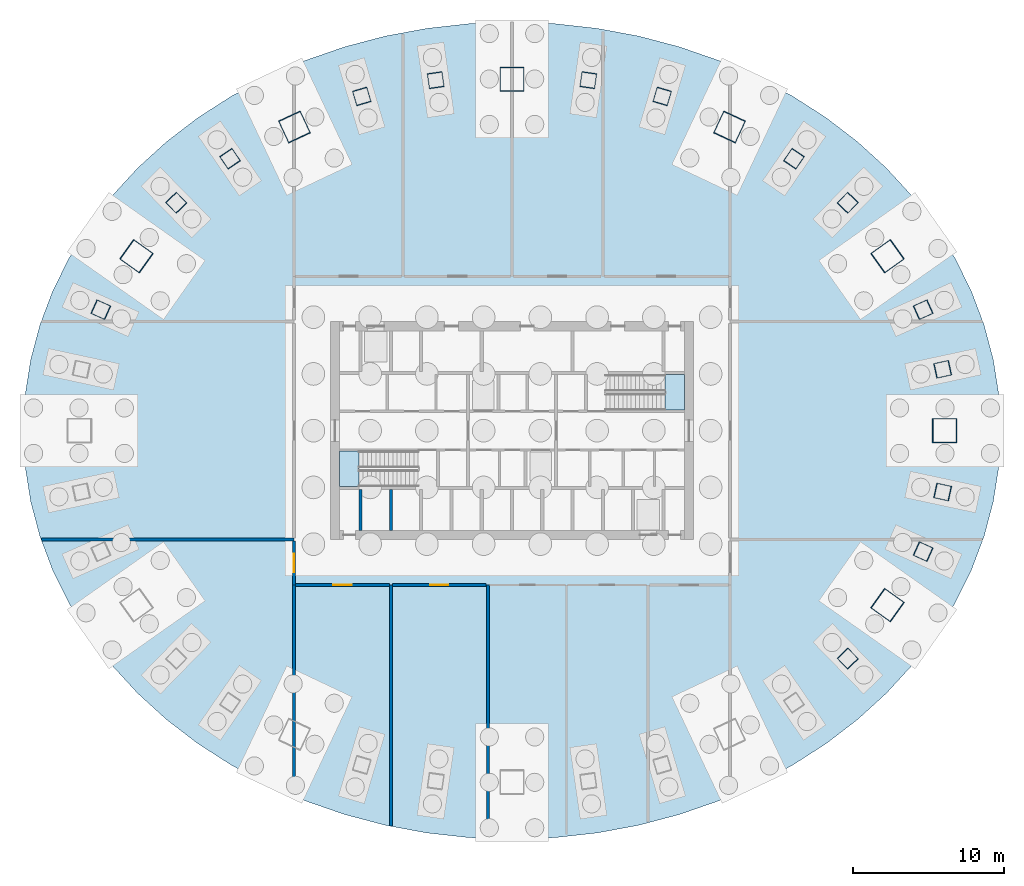
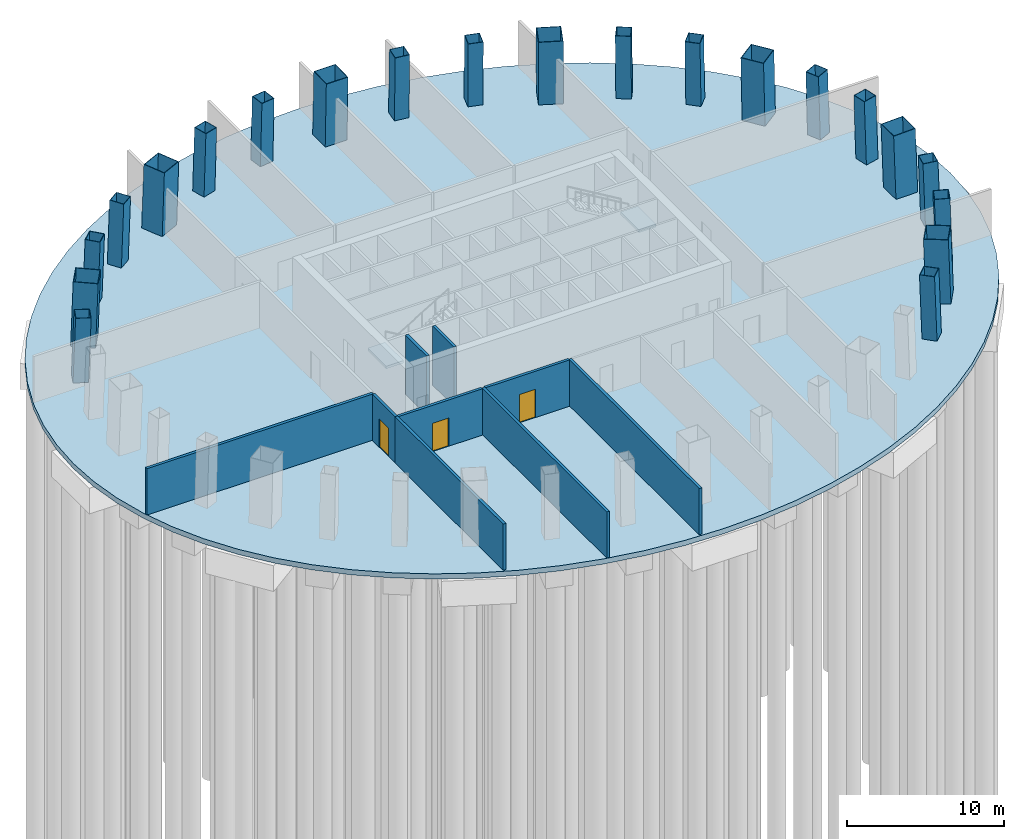
# One storey, part 2 of 7: 21 columns, 9 walls, 3 doors, 3 slabs, 3 openings, 2 elements without a shape of their own.
"""IFC4 building model written with IfcOpenShell, lengths in metres."""

from ifc_helpers import new_model, si_unit, direction, frame, frame_2d, origin, origin_2d, place, context, subcontext, project, spatial, polyline, rectangle, hollow_rectangle, outline, extrude, material, layer, layer_set, material_profile, profile_set, type_object, element, fill, aggregate, save


model = new_model("IFC4")

# Units and contexts
model_context = context("Model", 3, precision=1e-05, world=origin(), true_north=direction((0.0, 1.0)))
body_context = subcontext(model_context, "Body", "Model", "MODEL_VIEW")
ifc_project = project(units=[si_unit("LENGTHUNIT", "METRE"), si_unit("AREAUNIT", "SQUARE_METRE"), si_unit("VOLUMEUNIT", "CUBIC_METRE"), si_unit("PLANEANGLEUNIT", "RADIAN"), si_unit("MASSUNIT", "GRAM", prefix="KILO")], contexts=[model_context])

# Site, building, storey
site_placement = place(None, origin())
site = spatial("IfcSite", under=ifc_project, at=site_placement, CompositionType="ELEMENT")
building_placement = place(site_placement, origin())
building = spatial("IfcBuilding", under=site, at=building_placement, Name="Siaravel Broadcast Tower", CompositionType="ELEMENT")
storey_placement = place(building_placement, frame((0.0, 0.0, -5.0)))
storey = spatial("IfcBuildingStorey", under=building, at=storey_placement, Name="B1", CompositionType="ELEMENT", Elevation=-5.0)

# Columns
ifc_material_1 = material(Name="Concrete C70/85", Category="concrete")
ifc_material_profile_1 = material_profile(ifc_material_1, hollow_rectangle(XDim=1.0, YDim=1.0, WallThickness=0.031982421875, at=origin_2d()))
ifc_profile_set_1 = profile_set([ifc_material_profile_1], Name="Concrete C70/85")
column_type_1 = type_object("IfcColumnType", Name="COL-CFT BOX 1000x1000x32", PredefinedType="COLUMN", material=ifc_profile_set_1)
for number, where, z_axis, x_axis, name in (
    (1, (28.481689453125, 4.058349609375, 0.0), (-0.03406184, -0.004928719, 0.999407574), (0.212520175, -0.977153672, 0.002424149), "Perimeter column C01"),
    (2, (27.192138671875, 8.0, 0.0), (-0.032500817, -0.009711205, 0.999424529), (0.409851764, -0.912141214, 0.004465096), "Perimeter column C02"),
):
    element("IfcColumn", number, at=place(storey_placement, frame(where, z_axis=z_axis, x_axis=x_axis)), inside=storey, type_object=column_type_1, Name=name, PredefinedType="COLUMN", context=body_context, shape_type="SweptSolid", body=[
        extrude(hollow_rectangle(XDim=1.0, YDim=1.0, WallThickness=0.031982421875, at=origin_2d()), origin(), (0.0, 0.0, 1.0), 5.0029296875),
    ])
column_1_placement = place(storey_placement, frame((22.204345703125, 15.072998046875, 0.0), z_axis=(-0.026451197, -0.018203499, 0.99948435), x_axis=(0.719938809, -0.694007913, 0.006413178)))
element("IfcColumn", 3, at=column_1_placement, inside=storey, type_object=column_type_1, Name="Perimeter column C03", PredefinedType="COLUMN", context=body_context, shape_type="SweptSolid", body=[
    extrude(hollow_rectangle(XDim=1.0, YDim=1.0, WallThickness=0.031982421875, at=origin_2d()), origin(), (0.0, 0.0, 1.0), 5.002685546875),
])
column_2_placement = place(storey_placement, frame((18.6474609375, 17.986328125, 0.0), z_axis=(-0.022206077, -0.021718031, 0.999517492), x_axis=(0.827946422, -0.560772827, 0.006209556)))
element("IfcColumn", 4, at=column_2_placement, inside=storey, type_object=column_type_1, Name="Perimeter column C04", PredefinedType="COLUMN", context=body_context, shape_type="SweptSolid", body=[
    extrude(hollow_rectangle(XDim=1.0, YDim=1.0, WallThickness=0.031982421875, at=origin_2d()), origin(), (0.0, 0.0, 1.0), 5.00244140625),
])
column_3_placement = place(storey_placement, frame((9.934814453125, 22.105712890625, 0.0), z_axis=(-0.011860186, -0.026648812, 0.999574498), x_axis=(0.959327102, -0.282270497, 0.003857265)))
element("IfcColumn", 5, at=column_3_placement, inside=storey, type_object=column_type_1, Name="Perimeter column C05", PredefinedType="COLUMN", context=body_context, shape_type="SweptSolid", body=[
    extrude(hollow_rectangle(XDim=1.0, YDim=1.0, WallThickness=0.031982421875, at=origin_2d()), origin(), (0.0, 0.0, 1.0), 5.002197265625),
])
for number, where, z_axis, x_axis, name in (
    (6, (5.045654296875, 23.1787109375, 0.0), (-0.00600341, -0.027918297, 0.999592181), (0.990084374, -0.140459386, 0.002023321), "Perimeter column C06"),
    (7, (-5.045654296875, 23.1787109375, 0.0), (0.00600341, -0.027918297, 0.999592181), (0.990084374, 0.140459386, -0.002023321), "Perimeter column C07"),
):
    element("IfcColumn", number, at=place(storey_placement, frame(where, z_axis=z_axis, x_axis=x_axis)), inside=storey, type_object=column_type_1, Name=name, PredefinedType="COLUMN", context=body_context, shape_type="SweptSolid", body=[
        extrude(hollow_rectangle(XDim=1.0, YDim=1.0, WallThickness=0.031982421875, at=origin_2d()), origin(), (0.0, 0.0, 1.0), 5.001953125),
    ])
column_4_placement = place(storey_placement, frame((-9.934814453125, 22.105712890625, 0.0), z_axis=(0.011860186, -0.026648812, 0.999574498), x_axis=(0.959327102, 0.282270497, -0.003857265)))
element("IfcColumn", 8, at=column_4_placement, inside=storey, type_object=column_type_1, Name="Perimeter column C08", PredefinedType="COLUMN", context=body_context, shape_type="SweptSolid", body=[
    extrude(hollow_rectangle(XDim=1.0, YDim=1.0, WallThickness=0.031982421875, at=origin_2d()), origin(), (0.0, 0.0, 1.0), 5.002197265625),
])
column_5_placement = place(storey_placement, frame((-18.6474609375, 17.986328125, 0.0), z_axis=(0.022206077, -0.021718031, 0.999517492), x_axis=(0.827946422, 0.560772827, -0.006209556)))
element("IfcColumn", 9, at=column_5_placement, inside=storey, type_object=column_type_1, Name="Perimeter column C09", PredefinedType="COLUMN", context=body_context, shape_type="SweptSolid", body=[
    extrude(hollow_rectangle(XDim=1.0, YDim=1.0, WallThickness=0.031982421875, at=origin_2d()), origin(), (0.0, 0.0, 1.0), 5.00244140625),
])
column_6_placement = place(storey_placement, frame((-22.204345703125, 15.072998046875, 0.0), z_axis=(0.026451197, -0.018203499, 0.99948435), x_axis=(0.719938809, 0.694007913, -0.006413178)))
element("IfcColumn", 10, at=column_6_placement, inside=storey, type_object=column_type_1, Name="Perimeter column C10", PredefinedType="COLUMN", context=body_context, shape_type="SweptSolid", body=[
    extrude(hollow_rectangle(XDim=1.0, YDim=1.0, WallThickness=0.031982421875, at=origin_2d()), origin(), (0.0, 0.0, 1.0), 5.002685546875),
])
column_7_placement = place(storey_placement, frame((-27.192138671875, 8.0, 0.0), z_axis=(0.032500817, -0.009711205, 0.999424529), x_axis=(0.409851764, 0.912141214, -0.004465096)))
element("IfcColumn", 11, at=column_7_placement, inside=storey, type_object=column_type_1, Name="Perimeter column C11", PredefinedType="COLUMN", context=body_context, shape_type="SweptSolid", body=[
    extrude(hollow_rectangle(XDim=1.0, YDim=1.0, WallThickness=0.031982421875, at=origin_2d()), origin(), (0.0, 0.0, 1.0), 5.0029296875),
])
column_8_placement = place(storey_placement, frame((22.204345703125, -15.072998046875, 0.0), z_axis=(-0.026451197, 0.018203499, 0.99948435), x_axis=(-0.719938809, -0.694007913, -0.006413178)))
element("IfcColumn", 12, at=column_8_placement, inside=storey, type_object=column_type_1, Name="Perimeter column C22", PredefinedType="COLUMN", context=body_context, shape_type="SweptSolid", body=[
    extrude(hollow_rectangle(XDim=1.0, YDim=1.0, WallThickness=0.031982421875, at=origin_2d()), origin(), (0.0, 0.0, 1.0), 5.002685546875),
])
for number, where, z_axis, x_axis, name in (
    (13, (27.192138671875, -8.0, 0.0), (-0.032500817, 0.009711205, 0.999424529), (-0.409851764, -0.912141214, -0.004465096), "Perimeter column C23"),
    (14, (28.481689453125, -4.058349609375, 0.0), (-0.03406184, 0.004928719, 0.999407574), (-0.212520175, -0.977153672, -0.002424149), "Perimeter column C24"),
):
    element("IfcColumn", number, at=place(storey_placement, frame(where, z_axis=z_axis, x_axis=x_axis)), inside=storey, type_object=column_type_1, Name=name, PredefinedType="COLUMN", context=body_context, shape_type="SweptSolid", body=[
        extrude(hollow_rectangle(XDim=1.0, YDim=1.0, WallThickness=0.031982421875, at=origin_2d()), origin(), (0.0, 0.0, 1.0), 5.0029296875),
    ])
ifc_material_profile_2 = material_profile(ifc_material_1, hollow_rectangle(XDim=1.60009765625, YDim=1.60009765625, WallThickness=0.0400390625, at=origin_2d()))
ifc_profile_set_2 = profile_set([ifc_material_profile_2], Name="Concrete C70/85")
column_type_2 = type_object("IfcColumnType", Name="COL-CFT BOX 1600x1600x40", PredefinedType="COLUMN", material=ifc_profile_set_2)
column_9_placement = place(storey_placement, frame((28.615234375, 0.0, 0.0), z_axis=(-0.034549673, 0.0, 0.999402982), x_axis=(0.0, -1.0, 0.0)))
element("IfcColumn", 15, at=column_9_placement, inside=storey, type_object=column_type_2, Name="Megacolumn MC01", PredefinedType="COLUMN", context=body_context, shape_type="SweptSolid", body=[
    extrude(hollow_rectangle(XDim=1.60009765625, YDim=1.60009765625, WallThickness=0.0400390625, at=origin_2d()), origin(), (0.0, 0.0, 1.0), 5.0029296875),
])
column_10_placement = place(storey_placement, frame((24.835205078125, 11.536376953125, 0.0), z_axis=(-0.029964003, -0.014152379, 0.999450784), x_axis=(0.581238956, -0.813711512, 0.005903534)))
element("IfcColumn", 16, at=column_10_placement, inside=storey, type_object=column_type_2, Name="Megacolumn MC02", PredefinedType="COLUMN", context=body_context, shape_type="SweptSolid", body=[
    extrude(hollow_rectangle(XDim=1.60009765625, YDim=1.60009765625, WallThickness=0.0400390625, at=origin_2d()), origin(), (0.0, 0.0, 1.0), 5.002685546875),
])
column_11_placement = place(storey_placement, frame((14.387451171875, 20.084716796875, 0.0), z_axis=(-0.017326178, -0.02450068, 0.999549659), x_axis=(0.906542435, -0.422080558, 0.005368072)))
element("IfcColumn", 17, at=column_11_placement, inside=storey, type_object=column_type_2, Name="Megacolumn MC03", PredefinedType="COLUMN", context=body_context, shape_type="SweptSolid", body=[
    extrude(hollow_rectangle(XDim=1.60009765625, YDim=1.60009765625, WallThickness=0.0400390625, at=origin_2d()), origin(), (0.0, 0.0, 1.0), 5.002197265625),
])
column_12_placement = place(storey_placement, frame((0.0, 23.240234375, 0.0), z_axis=(0.0, -0.028357732, 0.999597839), x_axis=(1.0, 0.0, 0.0)))
element("IfcColumn", 18, at=column_12_placement, inside=storey, type_object=column_type_2, Name="Megacolumn MC04", PredefinedType="COLUMN", context=body_context, shape_type="SweptSolid", body=[
    extrude(hollow_rectangle(XDim=1.60009765625, YDim=1.60009765625, WallThickness=0.0400390625, at=origin_2d()), origin(), (0.0, 0.0, 1.0), 5.001953125),
])
column_13_placement = place(storey_placement, frame((-14.387451171875, 20.084716796875, 0.0), z_axis=(0.017326178, -0.02450068, 0.999549659), x_axis=(0.906542435, 0.422080558, -0.005368072)))
element("IfcColumn", 19, at=column_13_placement, inside=storey, type_object=column_type_2, Name="Megacolumn MC05", PredefinedType="COLUMN", context=body_context, shape_type="SweptSolid", body=[
    extrude(hollow_rectangle(XDim=1.60009765625, YDim=1.60009765625, WallThickness=0.0400390625, at=origin_2d()), origin(), (0.0, 0.0, 1.0), 5.002197265625),
])
for number, where, z_axis, x_axis, name in (
    (20, (-24.835205078125, 11.536376953125, 0.0), (0.029964003, -0.014152379, 0.999450784), (0.581238956, 0.813711512, -0.005903534), "Megacolumn MC06"),
    (21, (24.835205078125, -11.536376953125, 0.0), (-0.029964003, 0.014152379, 0.999450784), (-0.581238956, -0.813711512, -0.005903534), "Megacolumn MC12"),
):
    element("IfcColumn", number, at=place(storey_placement, frame(where, z_axis=z_axis, x_axis=x_axis)), inside=storey, type_object=column_type_2, Name=name, PredefinedType="COLUMN", context=body_context, shape_type="SweptSolid", body=[
        extrude(hollow_rectangle(XDim=1.60009765625, YDim=1.60009765625, WallThickness=0.0400390625, at=origin_2d()), origin(), (0.0, 0.0, 1.0), 5.002685546875),
    ])

# Slab
ifc_material_2 = material(Name="Concrete C40/50", Category="concrete")
ifc_layer_1 = layer(ifc_material_2, 0.39990234375)
ifc_layer_set_1 = layer_set([ifc_layer_1], Name="Concrete C40/50")
slab_type_1 = type_object("IfcSlabType", Name="SLB-BASESLAB-400", PredefinedType="BASESLAB", material=ifc_layer_set_1)
slab_1_placement = place(storey_placement, frame((0.0, 0.0, -0.39990234375)))
element("IfcSlab", 22, at=slab_1_placement, inside=storey, type_object=slab_type_1, Name="Basement floor slab", PredefinedType="BASESLAB", context=body_context, shape_type="SweptSolid", body=[
    extrude(outline(polyline([(32.300048828125, 0.0), (32.177001953125, 2.353271484375), (31.809326171875, 4.6884765625), (31.199462890625, 6.988037109375), (30.35205078125, 9.234619140625), (29.273681640625, 11.41064453125), (27.97265625, 13.5), (26.45849609375, 15.486572265625), (24.7431640625, 17.355224609375), (22.839599609375, 19.091796875), (20.761962890625, 20.68310546875), (18.526611328125, 22.1171875), (16.14990234375, 23.3828125), (13.650634765625, 24.47021484375), (11.04736328125, 25.37158203125), (8.35986328125, 26.080078125), (5.60888671875, 26.58984375), (2.815185546875, 26.897216796875), (0.0, 27.0), (-2.815185546875, 26.897216796875), (-5.60888671875, 26.58984375), (-8.35986328125, 26.080078125), (-11.04736328125, 25.37158203125), (-13.650634765625, 24.47021484375), (-16.14990234375, 23.3828125), (-18.526611328125, 22.1171875), (-20.761962890625, 20.68310546875), (-22.839599609375, 19.091796875), (-24.7431640625, 17.355224609375), (-26.45849609375, 15.486572265625), (-27.97265625, 13.5), (-29.273681640625, 11.41064453125), (-30.35205078125, 9.234619140625), (-31.199462890625, 6.988037109375), (-31.809326171875, 4.6884765625), (-32.177001953125, 2.353271484375), (-32.300048828125, 0.0), (-32.177001953125, -2.353271484375), (-31.809326171875, -4.6884765625), (-31.199462890625, -6.988037109375), (-30.35205078125, -9.234619140625), (-29.273681640625, -11.41064453125), (-27.97265625, -13.5), (-26.45849609375, -15.486572265625), (-24.7431640625, -17.355224609375), (-22.839599609375, -19.091796875), (-20.761962890625, -20.68310546875), (-18.526611328125, -22.1171875), (-16.14990234375, -23.3828125), (-13.650634765625, -24.47021484375), (-11.04736328125, -25.37158203125), (-8.35986328125, -26.080078125), (-5.60888671875, -26.58984375), (-2.815185546875, -26.897216796875), (0.0, -27.0), (2.815185546875, -26.897216796875), (5.60888671875, -26.58984375), (8.35986328125, -26.080078125), (11.04736328125, -25.37158203125), (13.650634765625, -24.47021484375), (16.14990234375, -23.3828125), (18.526611328125, -22.1171875), (20.761962890625, -20.68310546875), (22.839599609375, -19.091796875), (24.7431640625, -17.355224609375), (26.45849609375, -15.486572265625), (27.97265625, -13.5), (29.273681640625, -11.41064453125), (30.35205078125, -9.234619140625), (31.199462890625, -6.988037109375), (31.809326171875, -4.6884765625), (32.177001953125, -2.353271484375), (32.300048828125, 0.0)])), origin(), (0.0, 0.0, 1.0), 0.39990234375),
])

# Stair, slab
stair_type = type_object("IfcStairType", Name="Core exit stair", PredefinedType="HALF_TURN_STAIR", material=ifc_material_2)
stair_1_placement = place(storey_placement, origin())
stair_1 = element("IfcStair", 23, at=stair_1_placement, inside=storey, type_object=stair_type, Name="B1 Exit stair ST-1", PredefinedType="HALF_TURN_STAIR")
ifc_layer_2 = layer(ifc_material_2, 0.199951171875)
ifc_layer_set_2 = layer_set([ifc_layer_2], Name="Concrete C40/50")
slab_type_2 = type_object("IfcSlabType", Name="Stair landing", PredefinedType="LANDING", material=ifc_layer_set_2)
slab_2_placement = place(storey_placement, frame((0.0, 0.0, 2.300048828125)))
slab_2 = element("IfcSlab", 24, at=slab_2_placement, type_object=slab_type_2, Name="ST-1 landing 1", PredefinedType="LANDING", context=body_context, shape_type="SweptSolid", body=[
    extrude(outline(polyline([(-10.1201171875, -1.35009765625), (-11.39990234375, -1.35009765625), (-11.39990234375, -3.699951171875), (-10.1201171875, -3.699951171875), (-10.1201171875, -1.35009765625)])), origin(), (0.0, 0.0, 1.0), 0.199951171875),
])
aggregate(stair_1, [slab_2])

stair_2_placement = place(storey_placement, origin())
stair_2 = element("IfcStair", 25, at=stair_2_placement, inside=storey, type_object=stair_type, Name="B1 Exit stair ST-2", PredefinedType="HALF_TURN_STAIR")
slab_3_placement = place(storey_placement, frame((0.0, 0.0, 2.300048828125)))
slab_3 = element("IfcSlab", 26, at=slab_3_placement, type_object=slab_type_2, Name="ST-2 landing 1", PredefinedType="LANDING", context=body_context, shape_type="SweptSolid", body=[
    extrude(outline(polyline([(10.1201171875, 1.35009765625), (11.39990234375, 1.35009765625), (11.39990234375, 3.699951171875), (10.1201171875, 3.699951171875), (10.1201171875, 1.35009765625)])), origin(), (0.0, 0.0, 1.0), 0.199951171875),
])
aggregate(stair_2, [slab_3])

# Walls
ifc_material_3 = material(Name="Concrete blockwork", Category="masonry")
ifc_layer_3 = layer(ifc_material_3, 0.199951171875)
ifc_layer_set_3 = layer_set([ifc_layer_3], Name="Concrete blockwork")
wall_type_1 = type_object("IfcWallType", Name="Plant room wall 200", PredefinedType="PARTITIONING", material=ifc_layer_set_3)
wall_1_placement = place(storey_placement, frame((-1.60009765625, -26.823974609375, 0.0), z_axis=(0.0, 0.0, 1.0), x_axis=(0.0, 1.0, 0.0)))
element("IfcWall", 27, at=wall_1_placement, inside=storey, type_object=wall_type_1, Name="B1 partition 2", PredefinedType="PARTITIONING", context=body_context, shape_type="SweptSolid", body=[
    extrude(rectangle(XDim=16.6240234375, YDim=0.199951171875, at=frame_2d((8.31201171875, 0.0))), origin(), (0.0, 0.0, 1.0), 3.60009765625),
])
wall_2_placement = place(storey_placement, frame((-14.39990234375, -7.199951171875, 0.0), z_axis=(0.0, 0.0, 1.0), x_axis=(-1.0, 0.0, 0.0)))
element("IfcWall", 28, at=wall_2_placement, inside=storey, type_object=wall_type_1, Name="B1 partition 3", PredefinedType="PARTITIONING", context=body_context, shape_type="SweptSolid", body=[
    extrude(rectangle(XDim=16.69970703125, YDim=0.199951171875, at=frame_2d((8.349853515625, 0.0))), origin(), (0.0, 0.0, 1.0), 3.60009765625),
])
wall_3_placement = place(storey_placement, frame((-8.0, -26.11962890625, 0.0), z_axis=(0.0, 0.0, 1.0), x_axis=(0.0, 1.0, 0.0)))
element("IfcWall", 29, at=wall_3_placement, inside=storey, type_object=wall_type_1, Name="B1 partition 10", PredefinedType="PARTITIONING", context=body_context, shape_type="SweptSolid", body=[
    extrude(rectangle(XDim=15.919677734375, YDim=0.199951171875, at=frame_2d((7.9599609375, 0.0))), origin(), (0.0, 0.0, 1.0), 3.60009765625),
])
wall_4_placement = place(storey_placement, frame((-14.39990234375, -23.9912109375, 0.0), z_axis=(0.0, 0.0, 1.0), x_axis=(0.0, 1.0, 0.0)))
element("IfcWall", 30, at=wall_4_placement, inside=storey, type_object=wall_type_1, Name="B1 partition 14", PredefinedType="PARTITIONING", context=body_context, shape_type="SweptSolid", body=[
    extrude(rectangle(XDim=13.791259765625, YDim=0.199951171875, at=frame_2d((6.8955078125, 0.0))), origin(), (0.0, 0.0, 1.0), 3.60009765625),
])

# Wall, opening, door
wall_5_placement = place(storey_placement, frame((-14.298095703125, -10.199951171875, 0.0), z_axis=(0.0, 0.0, 1.0), x_axis=(1.0, 0.0, 0.0)))
wall_5 = element("IfcWall", 31, at=wall_5_placement, inside=storey, type_object=wall_type_1, Name="B1 partition 21", PredefinedType="PARTITIONING", context=body_context, shape_type="SweptSolid", body=[
    extrude(rectangle(XDim=6.196044921875, YDim=0.199951171875, at=frame_2d((3.09814453125, 0.0))), origin(), (0.0, 0.0, 1.0), 3.60009765625),
])
opening_1_placement = place(wall_5_placement, frame((2.498046875, 0.0, 0.0)))
opening_1 = element("IfcOpeningElement", 32, at=opening_1_placement, cuts=wall_5, Name="Opening B1-011", PredefinedType="OPENING", context=body_context, shape_type="SweptSolid", body=[
    extrude(rectangle(XDim=1.199951171875, YDim=2.199951171875, at=frame_2d((0.60009765625, 1.10009765625))), frame((0.0, 0.10986328125, 0.0), z_axis=(0.0, -1.0, 0.0), x_axis=(1.0, 0.0, 0.0)), (0.0, 0.0, 1.0), 0.219970703125),
])
ifc_material_4 = material(Name="Steel", Category="steel")
door_type = type_object("IfcDoorType", Name="Plant room door 1200", OperationType="DOUBLE_DOOR_SINGLE_SWING", PredefinedType="DOOR", material=ifc_material_4)
door_1_placement = place(opening_1_placement, origin())
door_1 = element("IfcDoor", 33, at=door_1_placement, inside=storey, type_object=door_type, Name="B1 door to Chilled water pump room", OperationType="DOUBLE_DOOR_SINGLE_SWING", OverallHeight=2.199951171875, OverallWidth=1.199951171875, PredefinedType="DOOR", context=body_context, shape_type="SweptSolid", body=[
    extrude(rectangle(XDim=1.199951171875, YDim=2.199951171875, at=frame_2d((0.60009765625, 1.10009765625))), frame((0.0, 0.02490234375, 0.0), z_axis=(0.0, -1.0, 0.0), x_axis=(1.0, 0.0, 0.0)), (0.0, 0.0, 1.0), 0.050048828125),
])
fill(opening_1, door_1)

wall_6_placement = place(storey_placement, frame((-7.89794921875, -10.199951171875, 0.0), z_axis=(0.0, 0.0, 1.0), x_axis=(1.0, 0.0, 0.0)))
wall_6 = element("IfcWall", 34, at=wall_6_placement, inside=storey, type_object=wall_type_1, Name="B1 partition 22", PredefinedType="PARTITIONING", context=body_context, shape_type="SweptSolid", body=[
    extrude(rectangle(XDim=6.196044921875, YDim=0.199951171875, at=frame_2d((3.09814453125, 0.0))), origin(), (0.0, 0.0, 1.0), 3.60009765625),
])
opening_2_placement = place(wall_6_placement, frame((2.498046875, 0.0, 0.0)))
opening_2 = element("IfcOpeningElement", 35, at=opening_2_placement, cuts=wall_6, Name="Opening B1-012", PredefinedType="OPENING", context=body_context, shape_type="SweptSolid", body=[
    extrude(rectangle(XDim=1.199951171875, YDim=2.199951171875, at=frame_2d((0.60009765625, 1.10009765625))), frame((0.0, 0.10986328125, 0.0), z_axis=(0.0, -1.0, 0.0), x_axis=(1.0, 0.0, 0.0)), (0.0, 0.0, 1.0), 0.219970703125),
])
door_2_placement = place(opening_2_placement, origin())
door_2 = element("IfcDoor", 36, at=door_2_placement, inside=storey, type_object=door_type, Name="B1 door to Cooling water tank room", OperationType="DOUBLE_DOOR_SINGLE_SWING", OverallHeight=2.199951171875, OverallWidth=1.199951171875, PredefinedType="DOOR", context=body_context, shape_type="SweptSolid", body=[
    extrude(rectangle(XDim=1.199951171875, YDim=2.199951171875, at=frame_2d((0.60009765625, 1.10009765625))), frame((0.0, 0.02490234375, 0.0), z_axis=(0.0, -1.0, 0.0), x_axis=(1.0, 0.0, 0.0)), (0.0, 0.0, 1.0), 0.050048828125),
])
fill(opening_2, door_2)

wall_7_placement = place(storey_placement, frame((-14.39990234375, -7.302001953125, 0.0), z_axis=(0.0, 0.0, 1.0), x_axis=(0.0, -1.0, 0.0)))
wall_7 = element("IfcWall", 37, at=wall_7_placement, inside=storey, type_object=wall_type_1, Name="B1 partition 27", PredefinedType="PARTITIONING", context=body_context, shape_type="SweptSolid", body=[
    extrude(rectangle(XDim=2.89697265625, YDim=0.199951171875, at=frame_2d((1.448486328125, 0.0))), origin(), (0.0, 0.0, 1.0), 3.60009765625),
])
opening_3_placement = place(wall_7_placement, frame((0.848388671875, 0.0, 0.0)))
opening_3 = element("IfcOpeningElement", 38, at=opening_3_placement, cuts=wall_7, Name="Opening B1-001", PredefinedType="OPENING", context=body_context, shape_type="SweptSolid", body=[
    extrude(rectangle(XDim=1.199951171875, YDim=2.199951171875, at=frame_2d((0.60009765625, 1.10009765625))), frame((0.0, 0.10986328125, 0.0), z_axis=(0.0, -1.0, 0.0), x_axis=(1.0, 0.0, 0.0)), (0.0, 0.0, 1.0), 0.219970703125),
])
door_3_placement = place(opening_3_placement, origin())
door_3 = element("IfcDoor", 39, at=door_3_placement, inside=storey, type_object=door_type, Name="B1 door to Generator room", OperationType="DOUBLE_DOOR_SINGLE_SWING", OverallHeight=2.199951171875, OverallWidth=1.199951171875, PredefinedType="DOOR", context=body_context, shape_type="SweptSolid", body=[
    extrude(rectangle(XDim=1.199951171875, YDim=2.199951171875, at=frame_2d((0.60009765625, 1.10009765625))), frame((0.0, 0.02490234375, 0.0), z_axis=(0.0, -1.0, 0.0), x_axis=(1.0, 0.0, 0.0)), (0.0, 0.0, 1.0), 0.050048828125),
])
fill(opening_3, door_3)

# Walls
ifc_material_5 = material(Name="Concrete C60/75", Category="concrete")
ifc_layer_4 = layer(ifc_material_5, 0.199951171875)
ifc_layer_set_4 = layer_set([ifc_layer_4], Name="Concrete C60/75")
wall_type_2 = type_object("IfcWallType", Name="Shaft wall 200", PredefinedType="SHEAR", material=ifc_layer_set_4)
for number, where, z_axis, x_axis, name in (
    (40, (-10.0, -6.60009765625, 0.0), (0.0, 0.0, 1.0), (0.0, 1.0, 0.0), "B1 core wall SWS0"),
    (41, (-8.0, -6.60009765625, 0.0), (0.0, 0.0, 1.0), (0.0, 1.0, 0.0), "B1 core wall SWS1"),
):
    element("IfcWall", number, at=place(storey_placement, frame(where, z_axis=z_axis, x_axis=x_axis)), inside=storey, type_object=wall_type_2, Name=name, PredefinedType="SHEAR", context=body_context, shape_type="SweptSolid", body=[
        extrude(rectangle(XDim=2.7001953125, YDim=0.199951171875, at=frame_2d((1.35009765625, 0.0))), origin(), (0.0, 0.0, 1.0), 4.60009765625),
    ])

save(model, "model.ifc")
